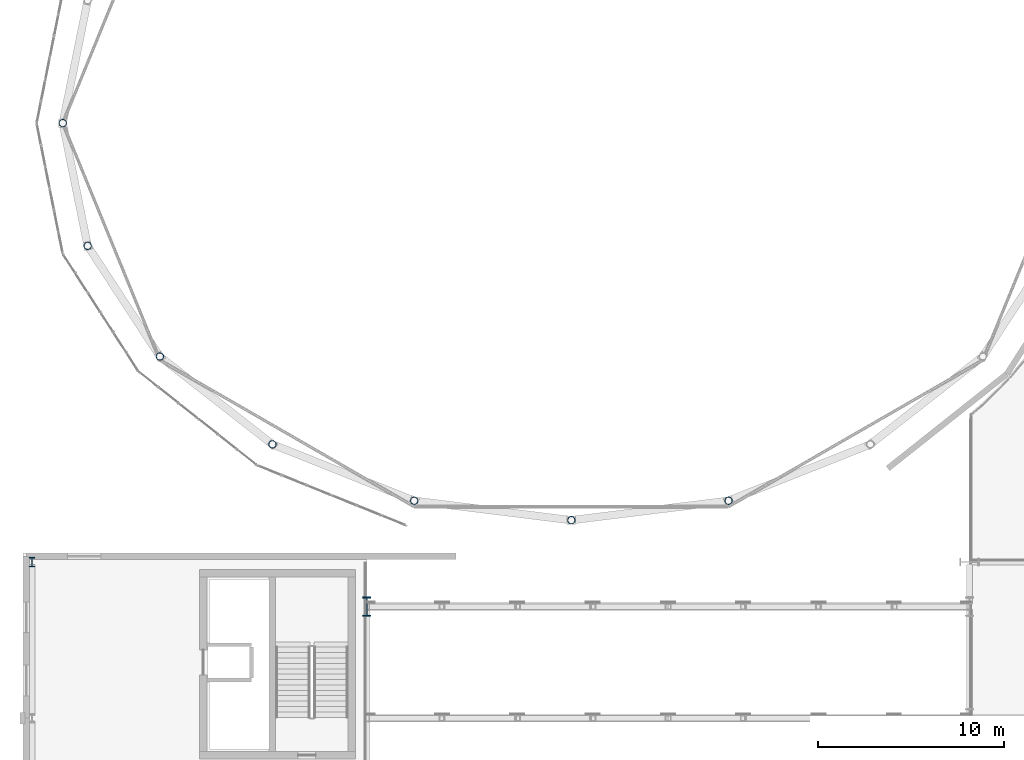
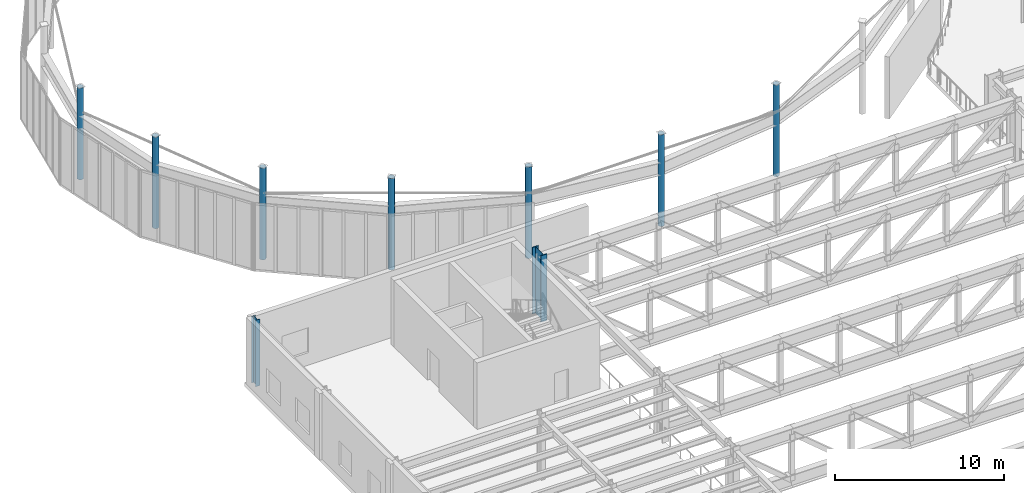
# One storey, part 7 of 91: 9 columns.
"""IFC4 building model written with IfcOpenShell, lengths in metres."""

from ifc_helpers import new_model, si_unit, direction, frame, origin, origin_2d, place, context, subcontext, project, spatial, hollow_circle, i_section, extrude, material, material_profile, profile_set, type_object, element, save


model = new_model("IFC4")

# Units and contexts
model_context = context("Model", 3, precision=1e-05, world=origin(), true_north=direction((0.0, 1.0)))
body_context = subcontext(model_context, "Body", "Model", "MODEL_VIEW")
ifc_project = project(units=[si_unit("LENGTHUNIT", "METRE"), si_unit("AREAUNIT", "SQUARE_METRE"), si_unit("VOLUMEUNIT", "CUBIC_METRE"), si_unit("PLANEANGLEUNIT", "RADIAN"), si_unit("MASSUNIT", "GRAM", prefix="KILO")], contexts=[model_context])

# Site, building, storey
site_placement = place(None, origin())
site = spatial("IfcSite", under=ifc_project, at=site_placement, CompositionType="ELEMENT")
building_placement = place(site_placement, origin())
building = spatial("IfcBuilding", under=site, at=building_placement, Name="Sollismere Congress Hotel", CompositionType="ELEMENT")
storey_placement = place(building_placement, frame((0.0, 0.0, 10.800048828125)))
storey = spatial("IfcBuildingStorey", under=building, at=storey_placement, Name="L02", CompositionType="ELEMENT", Elevation=10.800048828125)

# Columns
ifc_material_1 = material(Name="Steel ASTM A500 Grade C", Category="steel")
ifc_material_profile_1 = material_profile(ifc_material_1, hollow_circle(Radius=0.202880859375, WallThickness=0.01611328125, at=origin_2d()), Name="CHS406X16")
ifc_profile_set_1 = profile_set([ifc_material_profile_1], Name="Steel ASTM A500 Grade C")
column_type_1 = type_object("IfcColumnType", Name="COL-CHS406I", PredefinedType="COLUMN", material=ifc_profile_set_1)
for number, where, z_axis, x_axis, name in (
    (1, (1.64990234375, 90.39990234375, 0.0), (0.0, 0.0, 1.0), (-1.0, 0.0, 0.0), "Column CL-L02-1190"),
    (2, (2.988525390625, 83.802490234375, 0.0), (0.0, 0.0, 1.0), (-0.969316774365, -0.245814952628, 0.0), "Column CL-L02-1194"),
    (3, (6.873291015625, 77.850830078125, 0.0), (0.0, 0.0, 1.0), (-0.869839554062, -0.493334724289, 0.0), "Column CL-L02-1198"),
    (4, (12.924072265625, 73.12744140625, 0.0), (0.0, 0.0, 1.0), (-0.681359873953, -0.731948578909, 0.0), "Column CL-L02-1202"),
    (5, (20.54833984375, 70.094970703125, 0.0), (0.0, 0.0, 1.0), (-0.38429532266, -0.923210217113, 0.0), "Column CL-L02-1206"),
    (6, (29.0, 69.050048828125, 0.0), (0.0, 0.0, 1.0), (0.0, -1.0, 0.0), "Column CL-L02-1210"),
    (7, (37.45166015625, 70.094970703125, 0.0), (0.0, 0.0, 1.0), (0.38429532266, -0.923210217113, 0.0), "Column CL-L02-1214"),
):
    element("IfcColumn", number, at=place(storey_placement, frame(where, z_axis=z_axis, x_axis=x_axis)), inside=storey, type_object=column_type_1, Name=name, PredefinedType="COLUMN", context=body_context, shape_type="SweptSolid", body=[
        extrude(hollow_circle(Radius=0.202880859375, WallThickness=0.01611328125, at=origin_2d()), origin(), (0.0, 0.0, 1.0), 6.619873046875),
    ])
ifc_material_2 = material(Name="Steel ASTM A992 Grade 50", Category="steel")
ifc_material_profile_2 = material_profile(ifc_material_2, i_section(OverallWidth=0.283935546875, OverallDepth=0.4951171875, WebThickness=0.0185546875, FlangeThickness=0.033447265625, at=origin_2d()), Name="W18X143")
ifc_profile_set_2 = profile_set([ifc_material_profile_2], Name="Steel ASTM A992 Grade 50")
column_type_2 = type_object("IfcColumnType", Name="COL-W18", PredefinedType="COLUMN", material=ifc_profile_set_2)
column_1_placement = place(storey_placement, frame((0.0, 66.800048828125, 0.0), z_axis=(0.0, 0.0, 1.0), x_axis=(1.0, 0.0, 0.0)))
element("IfcColumn", 8, at=column_1_placement, inside=storey, type_object=column_type_2, Name="Column CL-L02-032", PredefinedType="COLUMN", context=body_context, shape_type="SweptSolid", body=[
    extrude(i_section(OverallWidth=0.283935546875, OverallDepth=0.4951171875, WebThickness=0.0185546875, FlangeThickness=0.033447265625, at=origin_2d()), origin(), (0.0, 0.0, 1.0), 4.800048828125),
])
ifc_material_profile_3 = material_profile(ifc_material_2, i_section(OverallWidth=0.427001953125, OverallDepth=1.041015625, WebThickness=0.031005859375, FlangeThickness=0.055908203125, at=origin_2d()), Name="W40X397")
ifc_profile_set_3 = profile_set([ifc_material_profile_3], Name="Steel ASTM A992 Grade 50")
column_type_3 = type_object("IfcColumnType", Name="COL-W40", PredefinedType="COLUMN", material=ifc_profile_set_3)
column_2_placement = place(storey_placement, frame((18.0, 64.39990234375, 0.0), z_axis=(0.0, 0.0, 1.0), x_axis=(1.0, 0.0, 0.0)))
element("IfcColumn", 9, at=column_2_placement, inside=storey, type_object=column_type_3, Name="Column CL-L02-1141", PredefinedType="COLUMN", context=body_context, shape_type="SweptSolid", body=[
    extrude(i_section(OverallWidth=0.427001953125, OverallDepth=1.041015625, WebThickness=0.031005859375, FlangeThickness=0.055908203125, at=origin_2d()), origin(), (0.0, 0.0, 1.0), 4.800048828125),
])

save(model, "model.ifc")
